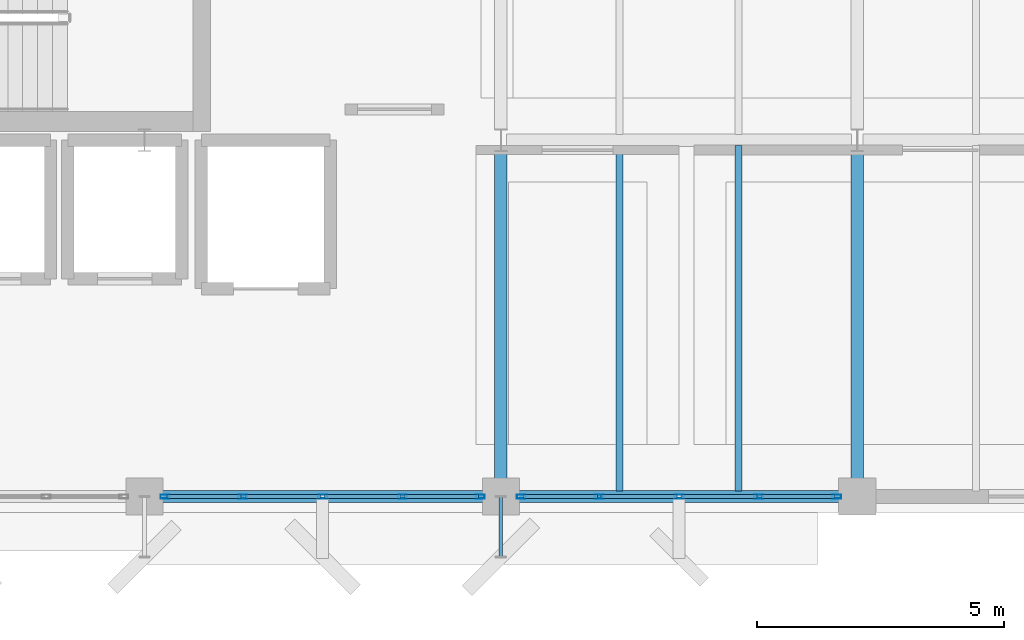
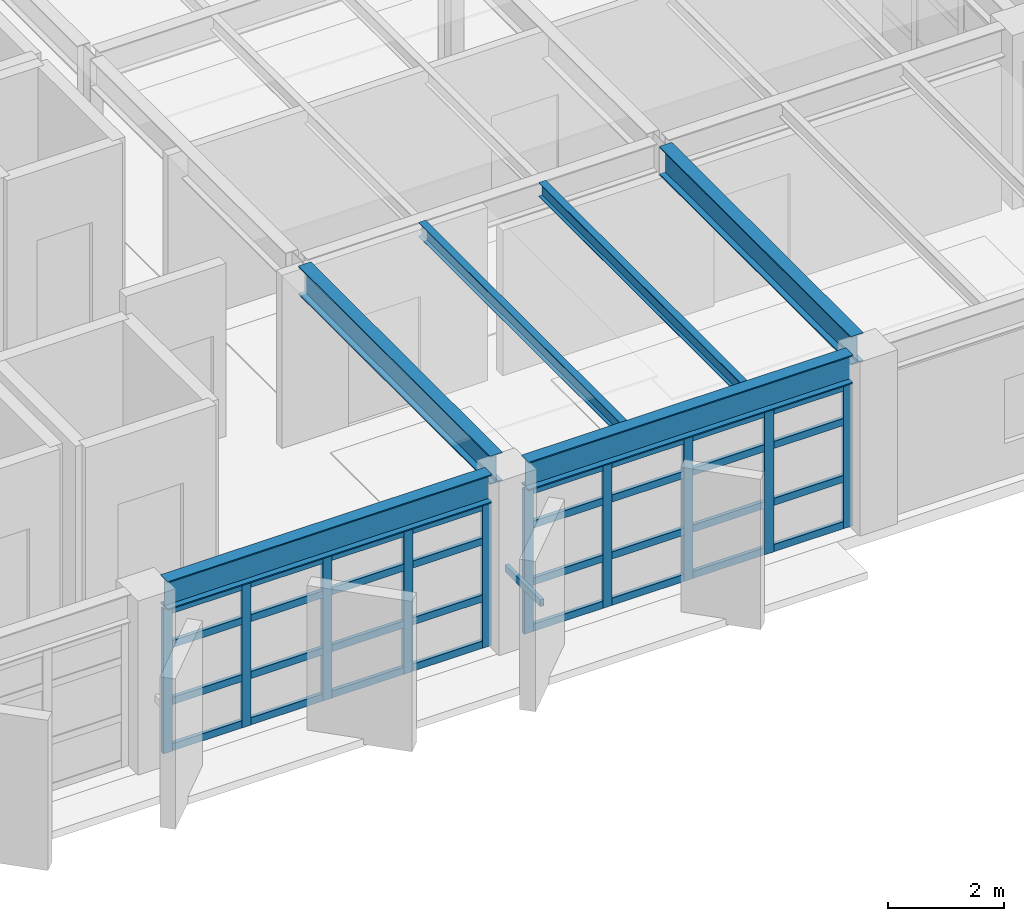
# One storey, part 6 of 24: 43 members, 6 beams, 2 elements without a shape of their own.
"""IFC4 building model written with IfcOpenShell, lengths in metres."""

import ifcopenshell
import ifcopenshell.guid

model = None  # the IFC model being written
_history = None  # IfcOwnerHistory: only IFC2X3 demands one
_inside = {}  # id of a spatial element -> (the spatial element, [elements in it])
_under = {}  # id of a project, library or spatial element -> (it, [spatial elements below it])
_declared = {}  # id of a project -> (the project, [libraries it declares])
_typed = {}  # id of a type object -> (the type object, [elements of that type])
_made_of = {}  # id of a material, layer set ... -> (it, [elements and type objects made of it])


def new_model(schema):
    """Start an empty IFC model of exactly this schema.

    Asked for "IFC4X3", IfcOpenShell would pick the latest addendum, in which some entities
    have other attributes; the version numbers below select the first issue.
    IFC2X3 requires an IfcOwnerHistory on every rooted entity: one is made here for all.
    """
    global model, _history
    if schema == "IFC4X3":
        model = ifcopenshell.file(schema_version=(4, 3, 0, 0))
    else:
        model = ifcopenshell.file(schema=schema)
    _inside.clear()
    _under.clear()
    _declared.clear()
    _typed.clear()
    _made_of.clear()
    _history = None
    if model.schema == "IFC2X3":
        org = make("IfcOrganization", Name="unknown")
        user = make(
            "IfcPersonAndOrganization",
            ThePerson=make("IfcPerson", FamilyName="unknown"),
            TheOrganization=org,
        )
        app = make(
            "IfcApplication",
            ApplicationDeveloper=org,
            Version="unknown",
            ApplicationFullName="unknown",
            ApplicationIdentifier="unknown",
        )
        _history = make(
            "IfcOwnerHistory",
            OwningUser=user,
            OwningApplication=app,
            ChangeAction="ADDED",
            CreationDate=0,
        )
    return model


def make(cls, **values):
    """One entity of the class cls with the attributes given. An attribute that is None is left unset."""
    return model.create_entity(
        cls, **{name: value for name, value in values.items() if value is not None}
    )


def rooted(cls, **values):
    """An entity with a GlobalId (a new one), such as an element, a storey or a relation."""
    return make(cls, GlobalId=ifcopenshell.guid.new(), OwnerHistory=_history, **values)


def si_unit(unit_type, name, prefix=None):
    """IfcSIUnit, for example si_unit("LENGTHUNIT", "METRE", prefix="MILLI")."""
    return make("IfcSIUnit", UnitType=unit_type, Prefix=prefix, Name=name)


def assignment(units):
    """IfcUnitAssignment: the units of a project."""
    return None if units is None else make("IfcUnitAssignment", Units=units)


def point(xyz):
    """IfcCartesianPoint."""
    return None if xyz is None else make("IfcCartesianPoint", Coordinates=xyz)


def direction(xyz):
    """IfcDirection."""
    return None if xyz is None else make("IfcDirection", DirectionRatios=xyz)


def frame(location, z_axis=None, x_axis=None):
    """IfcAxis2Placement3D, a coordinate frame: its origin and axes. An axis left out is left unset."""
    return make(
        "IfcAxis2Placement3D",
        Location=point(location),
        Axis=direction(z_axis),
        RefDirection=direction(x_axis),
    )


def frame_2d(location, x_axis=None):
    """IfcAxis2Placement2D, a coordinate frame in the plane: its origin and x axis."""
    return make(
        "IfcAxis2Placement2D", Location=point(location), RefDirection=direction(x_axis)
    )


def origin():
    """The frame at (0, 0, 0) with its axes left unset."""
    return frame((0.0, 0.0, 0.0))


def origin_2d():
    """The frame at (0, 0) in the plane with its x axis left unset."""
    return frame_2d((0.0, 0.0))


def place(relative_to, where):
    """IfcLocalPlacement: puts the frame where relative to a parent placement (None: the world)."""
    return make(
        "IfcLocalPlacement", PlacementRelTo=relative_to, RelativePlacement=where
    )


def context(
    kind, dimensions, precision=None, world=None, true_north=None, identifier=None
):
    """IfcGeometricRepresentationContext, for example the 3D "Model" context."""
    return make(
        "IfcGeometricRepresentationContext",
        ContextIdentifier=identifier,
        ContextType=kind,
        CoordinateSpaceDimension=dimensions,
        Precision=precision,
        WorldCoordinateSystem=world,
        TrueNorth=true_north,
    )


def subcontext(parent, identifier, kind, view, scale=None):
    """IfcGeometricRepresentationSubContext, for example "Body" below "Model"."""
    return make(
        "IfcGeometricRepresentationSubContext",
        ContextIdentifier=identifier,
        ContextType=kind,
        ParentContext=parent,
        TargetScale=scale,
        TargetView=view,
    )


def project(units=None, contexts=None):
    """IfcProject with its units and contexts."""
    return rooted(
        "IfcProject",
        Name="project",
        RepresentationContexts=contexts,
        UnitsInContext=assignment(units),
    )


def spatial(cls, under=None, at=None, **own):
    """A site, building, storey or space (cls), placed at a placement, below another one or the project."""
    s = rooted(cls, ObjectPlacement=at, **own)
    if under is not None:
        _under.setdefault(under.id(), (under, []))[1].append(s)
    return s


def profile(cls, at=None, kind="AREA", **sizes):
    """A parametric profile (cls). Its sizes go by their IFC names, for example OverallWidth=200.0."""
    return make(cls, ProfileType=kind, Position=at, **sizes)


def hollow_rectangle(**sizes):
    """IfcRectangleHollowProfileDef."""
    return profile("IfcRectangleHollowProfileDef", **sizes)


def i_section(**sizes):
    """IfcIShapeProfileDef."""
    return profile("IfcIShapeProfileDef", **sizes)


def extrude(swept, where, along, depth):
    """IfcExtrudedAreaSolid: the profile swept, set in the frame where, extruded along a direction by depth."""
    return make(
        "IfcExtrudedAreaSolid",
        SweptArea=swept,
        Position=where,
        ExtrudedDirection=direction(along),
        Depth=depth,
    )


def shape(context_of_items, identifier, shape_type, items):
    """IfcShapeRepresentation: the items that make up one representation, for example the "Body"."""
    return make(
        "IfcShapeRepresentation",
        ContextOfItems=context_of_items,
        RepresentationIdentifier=identifier,
        RepresentationType=shape_type,
        Items=items,
    )


def material(Name=None, Category=None):
    """IfcMaterial."""
    return make("IfcMaterial", Name=Name, Category=Category)


def layer(
    of_material, thickness, ventilated=None, Name=None, Category=None, Priority=None
):
    """IfcMaterialLayer: one layer of a wall or slab, of a material (None: an air gap)."""
    return make(
        "IfcMaterialLayer",
        Material=of_material,
        LayerThickness=thickness,
        IsVentilated=ventilated,
        Name=Name,
        Category=Category,
        Priority=Priority,
    )


def layer_set(layers, Name=None):
    """IfcMaterialLayerSet."""
    return make("IfcMaterialLayerSet", MaterialLayers=layers, LayerSetName=Name)


def material_profile(
    of_material, cross_section, Name=None, Category=None, Priority=None
):
    """IfcMaterialProfile: a cross section and its material."""
    return make(
        "IfcMaterialProfile",
        Name=Name,
        Material=of_material,
        Profile=cross_section,
        Priority=Priority,
        Category=Category,
    )


def profile_set(profiles, Name=None, composite=None):
    """IfcMaterialProfileSet."""
    return make(
        "IfcMaterialProfileSet",
        Name=Name,
        MaterialProfiles=profiles,
        CompositeProfile=composite,
    )


def made_of(thing, what):
    """Note that an element or type object is made of a material, layer set ...; save() writes the relation."""
    if what is not None:
        _made_of.setdefault(what.id(), (what, []))[1].append(thing)
    return thing


def type_object(cls, material=None, **own):
    """A type object (cls), such as IfcWallType, which elements share."""
    return made_of(rooted(cls, **own), material)


def element(
    cls,
    number,
    at=None,
    inside=None,
    cuts=None,
    type_object=None,
    material=None,
    context=None,
    identifier="Body",
    shape_type=None,
    held_by="IfcProductDefinitionShape",
    body=None,
    shapes=None,
    **own,
):
    """One element of the class cls, such as IfcWall. Its Tag is "e" and its number.

    at: its placement. inside: the storey or other place that contains it. cuts: it is an
    opening in that element (IfcRelVoidsElement). A single representation is given by context,
    identifier, shape_type and body (its items); several are given by shapes. held_by: the class
    of the entity that holds the representations. save() writes the other relations.
    """
    e = rooted(cls, Tag="e%d" % number, ObjectPlacement=at, **own)
    if body is not None:
        shapes = [shape(context, identifier, shape_type, body)]
    if shapes is not None:
        e.Representation = make(held_by, Representations=shapes)
    if inside is not None:
        _inside.setdefault(inside.id(), (inside, []))[1].append(e)
    if cuts is not None:
        rooted(
            "IfcRelVoidsElement", RelatingBuildingElement=cuts, RelatedOpeningElement=e
        )
    if type_object is not None:
        _typed.setdefault(type_object.id(), (type_object, []))[1].append(e)
    return made_of(e, material)


def aggregate(whole, parts):
    """IfcRelAggregates: a whole, such as a stair, and the parts it consists of."""
    return rooted("IfcRelAggregates", RelatingObject=whole, RelatedObjects=parts)


def save(model, path):
    """Write the relations noted so far, then the file.

    IfcRelAggregates (storeys below a building ...), IfcRelContainedInSpatialStructure (elements
    in a storey), IfcRelDefinesByType, IfcRelAssociatesMaterial and IfcRelDeclares: one each for
    every whole, place, type object, material and project.
    """
    for whole, parts in _under.values():
        aggregate(whole, parts)
    for where, things in _inside.values():
        rooted(
            "IfcRelContainedInSpatialStructure",
            RelatedElements=things,
            RelatingStructure=where,
        )
    for kind, things in _typed.values():
        rooted("IfcRelDefinesByType", RelatedObjects=things, RelatingType=kind)
    for what, things in _made_of.values():
        rooted("IfcRelAssociatesMaterial", RelatedObjects=things, RelatingMaterial=what)
    for by, libraries in _declared.values():
        rooted("IfcRelDeclares", RelatingContext=by, RelatedDefinitions=libraries)
    model.write(path)


model = new_model("IFC4")

# Units and contexts
model_context = context("Model", 3, precision=1e-05, world=origin(), true_north=direction((0.0, 1.0)))
body_context = subcontext(model_context, "Body", "Model", "MODEL_VIEW")
ifc_project = project(units=[si_unit("LENGTHUNIT", "METRE"), si_unit("AREAUNIT", "SQUARE_METRE"), si_unit("VOLUMEUNIT", "CUBIC_METRE"), si_unit("PLANEANGLEUNIT", "RADIAN"), si_unit("MASSUNIT", "GRAM", prefix="KILO")], contexts=[model_context])

# Site, building, storey
site_placement = place(None, origin())
site = spatial("IfcSite", under=ifc_project, at=site_placement, CompositionType="ELEMENT")
building_placement = place(site_placement, origin())
building = spatial("IfcBuilding", under=site, at=building_placement, Name="Kandorven Conservatory and Botanical Research Centre", CompositionType="ELEMENT")
storey_placement = place(building_placement, frame((0.0, 0.0, 21.0)))
storey = spatial("IfcBuildingStorey", under=building, at=storey_placement, Name="L05", CompositionType="ELEMENT", Elevation=21.0)

# Beams
ifc_material_1 = material(Name="Steel S355 (IS 2062 E350)", Category="steel")
ifc_material_profile_1 = material_profile(ifc_material_1, i_section(OverallWidth=0.25, OverallDepth=0.60009765625, WebThickness=0.01171875, FlangeThickness=0.023681640625, at=origin_2d()))
ifc_profile_set_1 = profile_set([ifc_material_profile_1], Name="Steel S355 (IS 2062 E350)")
beam_type_1 = type_object("IfcBeamType", Name="Beam_FG-01", PredefinedType="USERDEFINED", material=ifc_profile_set_1)
beam_1_placement = place(storey_placement, frame((20.764892578125, 6.0, 3.3701171875), z_axis=(1.0, 0.0, 0.0), x_axis=(0.0, 1.0, 0.0)))
element("IfcBeam", 1, at=beam_1_placement, inside=storey, type_object=beam_type_1, Name="Primary girder FG-01 TWR L05", ObjectType="GIRDER", PredefinedType="USERDEFINED", context=body_context, shape_type="SweptSolid", body=[
    extrude(i_section(OverallWidth=0.25, OverallDepth=0.60009765625, WebThickness=0.01171875, FlangeThickness=0.023681640625, at=origin_2d()), origin(), (0.0, 0.0, 1.0), 6.47021484375),
])
beam_2_placement = place(storey_placement, frame((27.965087890625, 6.0, 3.3701171875), z_axis=(1.0, 0.0, 0.0), x_axis=(0.0, 1.0, 0.0)))
element("IfcBeam", 2, at=beam_2_placement, inside=storey, type_object=beam_type_1, Name="Primary girder FG-01 TWR L05", ObjectType="GIRDER", PredefinedType="USERDEFINED", context=body_context, shape_type="SweptSolid", body=[
    extrude(i_section(OverallWidth=0.25, OverallDepth=0.60009765625, WebThickness=0.01171875, FlangeThickness=0.023681640625, at=origin_2d()), origin(), (0.0, 0.0, 1.0), 6.469970703125),
])
for number, where, z_axis, x_axis, name in (
    (3, (27.60009765625, 6.364990234375, 3.3701171875), (0.0, 1.0, 0.0), (-1.0, 0.0, 0.0), "Primary girder FG-01 TWR L05"),
    (4, (34.800048828125, 6.364990234375, 3.3701171875), (0.0, 1.0, 0.0), (-1.0, 0.0, 0.0), "Primary girder FG-01 TWR L05"),
):
    element("IfcBeam", number, at=place(storey_placement, frame(where, z_axis=z_axis, x_axis=x_axis)), inside=storey, type_object=beam_type_1, Name=name, ObjectType="GIRDER", PredefinedType="USERDEFINED", context=body_context, shape_type="SweptSolid", body=[
        extrude(i_section(OverallWidth=0.25, OverallDepth=0.60009765625, WebThickness=0.01171875, FlangeThickness=0.023681640625, at=origin_2d()), origin(), (0.0, 0.0, 1.0), 6.6201171875),
    ])
ifc_material_2 = material(Name="Steel S355 (IS 2062 E350)", Category="steel")
ifc_material_profile_2 = material_profile(ifc_material_2, i_section(OverallWidth=0.139892578125, OverallDepth=0.300048828125, WebThickness=0.0078125, FlangeThickness=0.01318359375, at=origin_2d()))
ifc_profile_set_2 = profile_set([ifc_material_profile_2], Name="Steel S355 (IS 2062 E350)")
beam_type_2 = type_object("IfcBeamType", Name="Beam_SB-07", PredefinedType="BEAM", material=ifc_profile_set_2)
for number, where, z_axis, x_axis, name in (
    (5, (30.0, 6.110107421875, 3.52001953125), (0.0, 1.0, 0.0), (-1.0, 0.0, 0.0), "Composite secondary beam SB-07 TWR L05"),
    (6, (32.39990234375, 6.110107421875, 3.52001953125), (0.0, 1.0, 0.0), (-1.0, 0.0, 0.0), "Composite secondary beam SB-07 TWR L05"),
):
    element("IfcBeam", number, at=place(storey_placement, frame(where, z_axis=z_axis, x_axis=x_axis)), inside=storey, type_object=beam_type_2, Name=name, PredefinedType="BEAM", context=body_context, shape_type="SweptSolid", body=[
        extrude(i_section(OverallWidth=0.139892578125, OverallDepth=0.300048828125, WebThickness=0.0078125, FlangeThickness=0.01318359375, at=origin_2d()), origin(), (0.0, 0.0, 1.0), 6.97998046875),
    ])

# Curtain wall, members
ifc_material_3 = material(Name="Bronze anodised thermally broken aluminium", Category="aluminium")
ifc_layer = layer(ifc_material_3, 0.179931640625)
ifc_layer_set = layer_set([ifc_layer], Name="Bronze anodised thermally broken aluminium")
curtain_wall_type = type_object("IfcCurtainWallType", Name="CW_Unitised", PredefinedType="USERDEFINED", material=ifc_layer_set)
curtain_wall_1_placement = place(storey_placement, origin())
curtain_wall_1 = element("IfcCurtainWall", 7, at=curtain_wall_1_placement, inside=storey, type_object=curtain_wall_type, Name="Tower laboratory curtain wall CW-TWR-S-L05-3", ObjectType="UNITISED GLAZING", PredefinedType="USERDEFINED")
ifc_material_4 = material(Name="Bronze anodised thermally broken aluminium", Category="aluminium")
ifc_material_profile_3 = material_profile(ifc_material_4, hollow_rectangle(XDim=0.080078125, YDim=0.179931640625, WallThickness=0.006103515625, at=origin_2d()))
ifc_profile_set_3 = profile_set([ifc_material_profile_3], Name="Bronze anodised thermally broken aluminium")
member_type_1 = type_object("IfcMemberType", Name="CW_Mullion", PredefinedType="MULLION", material=ifc_profile_set_3)
member_1_placement = place(storey_placement, frame((20.81494140625, 6.0, 0.0), z_axis=(0.0, 0.0, 1.0), x_axis=(0.0, 1.0, 0.0)))
member_1 = element("IfcMember", 8, at=member_1_placement, type_object=member_type_1, Name="CW-01 mullion 1", PredefinedType="MULLION", context=body_context, shape_type="SweptSolid", body=[
    extrude(hollow_rectangle(XDim=0.080078125, YDim=0.179931640625, WallThickness=0.006103515625, at=origin_2d()), origin(), (0.0, 0.0, 1.0), 3.050048828125),
])
member_2_placement = place(storey_placement, frame((22.387451171875, 6.0, 0.0), z_axis=(0.0, 0.0, 1.0), x_axis=(0.0, 1.0, 0.0)))
member_2 = element("IfcMember", 9, at=member_2_placement, type_object=member_type_1, Name="CW-01 mullion 2", PredefinedType="MULLION", context=body_context, shape_type="SweptSolid", body=[
    extrude(hollow_rectangle(XDim=0.080078125, YDim=0.179931640625, WallThickness=0.006103515625, at=origin_2d()), origin(), (0.0, 0.0, 1.0), 3.050048828125),
])
member_3_placement = place(storey_placement, frame((24.0, 6.0, 0.0), z_axis=(0.0, 0.0, 1.0), x_axis=(0.0, 1.0, 0.0)))
member_3 = element("IfcMember", 10, at=member_3_placement, type_object=member_type_1, Name="CW-01 mullion 3", PredefinedType="MULLION", context=body_context, shape_type="SweptSolid", body=[
    extrude(hollow_rectangle(XDim=0.080078125, YDim=0.179931640625, WallThickness=0.006103515625, at=origin_2d()), origin(), (0.0, 0.0, 1.0), 3.050048828125),
])
member_4_placement = place(storey_placement, frame((25.612548828125, 6.0, 0.0), z_axis=(0.0, 0.0, 1.0), x_axis=(0.0, 1.0, 0.0)))
member_4 = element("IfcMember", 11, at=member_4_placement, type_object=member_type_1, Name="CW-01 mullion 4", PredefinedType="MULLION", context=body_context, shape_type="SweptSolid", body=[
    extrude(hollow_rectangle(XDim=0.080078125, YDim=0.179931640625, WallThickness=0.006103515625, at=origin_2d()), origin(), (0.0, 0.0, 1.0), 3.050048828125),
])
member_5_placement = place(storey_placement, frame((27.18505859375, 6.0, 0.0), z_axis=(0.0, 0.0, 1.0), x_axis=(0.0, 1.0, 0.0)))
member_5 = element("IfcMember", 12, at=member_5_placement, type_object=member_type_1, Name="CW-01 mullion 5", PredefinedType="MULLION", context=body_context, shape_type="SweptSolid", body=[
    extrude(hollow_rectangle(XDim=0.080078125, YDim=0.179931640625, WallThickness=0.006103515625, at=origin_2d()), origin(), (0.0, 0.0, 1.0), 3.050048828125),
])

curtain_wall_2_placement = place(storey_placement, origin())
curtain_wall_2 = element("IfcCurtainWall", 13, at=curtain_wall_2_placement, inside=storey, type_object=curtain_wall_type, Name="Tower laboratory curtain wall CW-TWR-S-L05-4", ObjectType="UNITISED GLAZING", PredefinedType="USERDEFINED")
member_6_placement = place(storey_placement, frame((28.014892578125, 6.0, 0.0), z_axis=(0.0, 0.0, 1.0), x_axis=(0.0, 1.0, 0.0)))
member_6 = element("IfcMember", 14, at=member_6_placement, type_object=member_type_1, Name="CW-01 mullion 1", PredefinedType="MULLION", context=body_context, shape_type="SweptSolid", body=[
    extrude(hollow_rectangle(XDim=0.080078125, YDim=0.179931640625, WallThickness=0.006103515625, at=origin_2d()), origin(), (0.0, 0.0, 1.0), 3.050048828125),
])
member_7_placement = place(storey_placement, frame((29.58740234375, 6.0, 0.0), z_axis=(0.0, 0.0, 1.0), x_axis=(0.0, 1.0, 0.0)))
member_7 = element("IfcMember", 15, at=member_7_placement, type_object=member_type_1, Name="CW-01 mullion 2", PredefinedType="MULLION", context=body_context, shape_type="SweptSolid", body=[
    extrude(hollow_rectangle(XDim=0.080078125, YDim=0.179931640625, WallThickness=0.006103515625, at=origin_2d()), origin(), (0.0, 0.0, 1.0), 3.050048828125),
])
member_8_placement = place(storey_placement, frame((31.199951171875, 6.0, 0.0), z_axis=(0.0, 0.0, 1.0), x_axis=(0.0, 1.0, 0.0)))
member_8 = element("IfcMember", 16, at=member_8_placement, type_object=member_type_1, Name="CW-01 mullion 3", PredefinedType="MULLION", context=body_context, shape_type="SweptSolid", body=[
    extrude(hollow_rectangle(XDim=0.080078125, YDim=0.179931640625, WallThickness=0.006103515625, at=origin_2d()), origin(), (0.0, 0.0, 1.0), 3.050048828125),
])
member_9_placement = place(storey_placement, frame((32.8125, 6.0, 0.0), z_axis=(0.0, 0.0, 1.0), x_axis=(0.0, 1.0, 0.0)))
member_9 = element("IfcMember", 17, at=member_9_placement, type_object=member_type_1, Name="CW-01 mullion 4", PredefinedType="MULLION", context=body_context, shape_type="SweptSolid", body=[
    extrude(hollow_rectangle(XDim=0.080078125, YDim=0.179931640625, WallThickness=0.006103515625, at=origin_2d()), origin(), (0.0, 0.0, 1.0), 3.050048828125),
])
member_10_placement = place(storey_placement, frame((34.385009765625, 6.0, 0.0), z_axis=(0.0, 0.0, 1.0), x_axis=(0.0, 1.0, 0.0)))
member_10 = element("IfcMember", 18, at=member_10_placement, type_object=member_type_1, Name="CW-01 mullion 5", PredefinedType="MULLION", context=body_context, shape_type="SweptSolid", body=[
    extrude(hollow_rectangle(XDim=0.080078125, YDim=0.179931640625, WallThickness=0.006103515625, at=origin_2d()), origin(), (0.0, 0.0, 1.0), 3.050048828125),
])

# Member
ifc_material_5 = material(Name="Bronze anodised thermally broken aluminium", Category="aluminium")
ifc_material_profile_4 = material_profile(ifc_material_5, hollow_rectangle(XDim=0.074951171875, YDim=0.14990234375, WallThickness=0.006103515625, at=origin_2d()))
ifc_profile_set_4 = profile_set([ifc_material_profile_4], Name="Bronze anodised thermally broken aluminium")
member_type_2 = type_object("IfcMemberType", Name="CW_Transom", PredefinedType="USERDEFINED", material=ifc_profile_set_4)
member_11_placement = place(storey_placement, frame((20.85498046875, 6.0, 0.074951171875), z_axis=(1.0, 0.0, 0.0), x_axis=(0.0, 1.0, 0.0)))
member_11 = element("IfcMember", 19, at=member_11_placement, type_object=member_type_2, Name="CW-01 transom 1.1", ObjectType="TRANSOM", PredefinedType="USERDEFINED", context=body_context, shape_type="SweptSolid", body=[
    extrude(hollow_rectangle(XDim=0.074951171875, YDim=0.14990234375, WallThickness=0.006103515625, at=origin_2d()), origin(), (0.0, 0.0, 1.0), 1.492431640625),
])

member_12_placement = place(storey_placement, frame((20.85498046875, 6.0, 1.050048828125), z_axis=(1.0, 0.0, 0.0), x_axis=(0.0, 1.0, 0.0)))
member_12 = element("IfcMember", 20, at=member_12_placement, type_object=member_type_2, Name="CW-01 transom 1.2", ObjectType="TRANSOM", PredefinedType="USERDEFINED", context=body_context, shape_type="SweptSolid", body=[
    extrude(hollow_rectangle(XDim=0.074951171875, YDim=0.14990234375, WallThickness=0.006103515625, at=origin_2d()), origin(), (0.0, 0.0, 1.0), 1.492431640625),
])

member_13_placement = place(storey_placement, frame((20.85498046875, 6.0, 2.25), z_axis=(1.0, 0.0, 0.0), x_axis=(0.0, 1.0, 0.0)))
member_13 = element("IfcMember", 21, at=member_13_placement, type_object=member_type_2, Name="CW-01 transom 1.3", ObjectType="TRANSOM", PredefinedType="USERDEFINED", context=body_context, shape_type="SweptSolid", body=[
    extrude(hollow_rectangle(XDim=0.074951171875, YDim=0.14990234375, WallThickness=0.006103515625, at=origin_2d()), origin(), (0.0, 0.0, 1.0), 1.492431640625),
])

member_14_placement = place(storey_placement, frame((20.85498046875, 6.0, 2.97509765625), z_axis=(1.0, 0.0, 0.0), x_axis=(0.0, 1.0, 0.0)))
member_14 = element("IfcMember", 22, at=member_14_placement, type_object=member_type_2, Name="CW-01 transom 1.4", ObjectType="TRANSOM", PredefinedType="USERDEFINED", context=body_context, shape_type="SweptSolid", body=[
    extrude(hollow_rectangle(XDim=0.074951171875, YDim=0.14990234375, WallThickness=0.006103515625, at=origin_2d()), origin(), (0.0, 0.0, 1.0), 1.492431640625),
])

member_15_placement = place(storey_placement, frame((22.427490234375, 6.0, 0.074951171875), z_axis=(1.0, 0.0, 0.0), x_axis=(0.0, 1.0, 0.0)))
member_15 = element("IfcMember", 23, at=member_15_placement, type_object=member_type_2, Name="CW-01 transom 2.1", ObjectType="TRANSOM", PredefinedType="USERDEFINED", context=body_context, shape_type="SweptSolid", body=[
    extrude(hollow_rectangle(XDim=0.074951171875, YDim=0.14990234375, WallThickness=0.006103515625, at=origin_2d()), origin(), (0.0, 0.0, 1.0), 1.532470703125),
])

member_16_placement = place(storey_placement, frame((22.427490234375, 6.0, 1.050048828125), z_axis=(1.0, 0.0, 0.0), x_axis=(0.0, 1.0, 0.0)))
member_16 = element("IfcMember", 24, at=member_16_placement, type_object=member_type_2, Name="CW-01 transom 2.2", ObjectType="TRANSOM", PredefinedType="USERDEFINED", context=body_context, shape_type="SweptSolid", body=[
    extrude(hollow_rectangle(XDim=0.074951171875, YDim=0.14990234375, WallThickness=0.006103515625, at=origin_2d()), origin(), (0.0, 0.0, 1.0), 1.532470703125),
])

member_17_placement = place(storey_placement, frame((22.427490234375, 6.0, 2.25), z_axis=(1.0, 0.0, 0.0), x_axis=(0.0, 1.0, 0.0)))
member_17 = element("IfcMember", 25, at=member_17_placement, type_object=member_type_2, Name="CW-01 transom 2.3", ObjectType="TRANSOM", PredefinedType="USERDEFINED", context=body_context, shape_type="SweptSolid", body=[
    extrude(hollow_rectangle(XDim=0.074951171875, YDim=0.14990234375, WallThickness=0.006103515625, at=origin_2d()), origin(), (0.0, 0.0, 1.0), 1.532470703125),
])

member_18_placement = place(storey_placement, frame((22.427490234375, 6.0, 2.97509765625), z_axis=(1.0, 0.0, 0.0), x_axis=(0.0, 1.0, 0.0)))
member_18 = element("IfcMember", 26, at=member_18_placement, type_object=member_type_2, Name="CW-01 transom 2.4", ObjectType="TRANSOM", PredefinedType="USERDEFINED", context=body_context, shape_type="SweptSolid", body=[
    extrude(hollow_rectangle(XDim=0.074951171875, YDim=0.14990234375, WallThickness=0.006103515625, at=origin_2d()), origin(), (0.0, 0.0, 1.0), 1.532470703125),
])

member_19_placement = place(storey_placement, frame((24.0400390625, 6.0, 0.074951171875), z_axis=(1.0, 0.0, 0.0), x_axis=(0.0, 1.0, 0.0)))
member_19 = element("IfcMember", 27, at=member_19_placement, type_object=member_type_2, Name="CW-01 transom 3.1", ObjectType="TRANSOM", PredefinedType="USERDEFINED", context=body_context, shape_type="SweptSolid", body=[
    extrude(hollow_rectangle(XDim=0.074951171875, YDim=0.14990234375, WallThickness=0.006103515625, at=origin_2d()), origin(), (0.0, 0.0, 1.0), 1.532470703125),
])

member_20_placement = place(storey_placement, frame((24.0400390625, 6.0, 1.050048828125), z_axis=(1.0, 0.0, 0.0), x_axis=(0.0, 1.0, 0.0)))
member_20 = element("IfcMember", 28, at=member_20_placement, type_object=member_type_2, Name="CW-01 transom 3.2", ObjectType="TRANSOM", PredefinedType="USERDEFINED", context=body_context, shape_type="SweptSolid", body=[
    extrude(hollow_rectangle(XDim=0.074951171875, YDim=0.14990234375, WallThickness=0.006103515625, at=origin_2d()), origin(), (0.0, 0.0, 1.0), 1.532470703125),
])

member_21_placement = place(storey_placement, frame((24.0400390625, 6.0, 2.25), z_axis=(1.0, 0.0, 0.0), x_axis=(0.0, 1.0, 0.0)))
member_21 = element("IfcMember", 29, at=member_21_placement, type_object=member_type_2, Name="CW-01 transom 3.3", ObjectType="TRANSOM", PredefinedType="USERDEFINED", context=body_context, shape_type="SweptSolid", body=[
    extrude(hollow_rectangle(XDim=0.074951171875, YDim=0.14990234375, WallThickness=0.006103515625, at=origin_2d()), origin(), (0.0, 0.0, 1.0), 1.532470703125),
])

member_22_placement = place(storey_placement, frame((24.0400390625, 6.0, 2.97509765625), z_axis=(1.0, 0.0, 0.0), x_axis=(0.0, 1.0, 0.0)))
member_22 = element("IfcMember", 30, at=member_22_placement, type_object=member_type_2, Name="CW-01 transom 3.4", ObjectType="TRANSOM", PredefinedType="USERDEFINED", context=body_context, shape_type="SweptSolid", body=[
    extrude(hollow_rectangle(XDim=0.074951171875, YDim=0.14990234375, WallThickness=0.006103515625, at=origin_2d()), origin(), (0.0, 0.0, 1.0), 1.532470703125),
])

member_23_placement = place(storey_placement, frame((25.652587890625, 6.0, 0.074951171875), z_axis=(1.0, 0.0, 0.0), x_axis=(0.0, 1.0, 0.0)))
member_23 = element("IfcMember", 31, at=member_23_placement, type_object=member_type_2, Name="CW-01 transom 4.1", ObjectType="TRANSOM", PredefinedType="USERDEFINED", context=body_context, shape_type="SweptSolid", body=[
    extrude(hollow_rectangle(XDim=0.074951171875, YDim=0.14990234375, WallThickness=0.006103515625, at=origin_2d()), origin(), (0.0, 0.0, 1.0), 1.492431640625),
])

member_24_placement = place(storey_placement, frame((25.652587890625, 6.0, 1.050048828125), z_axis=(1.0, 0.0, 0.0), x_axis=(0.0, 1.0, 0.0)))
member_24 = element("IfcMember", 32, at=member_24_placement, type_object=member_type_2, Name="CW-01 transom 4.2", ObjectType="TRANSOM", PredefinedType="USERDEFINED", context=body_context, shape_type="SweptSolid", body=[
    extrude(hollow_rectangle(XDim=0.074951171875, YDim=0.14990234375, WallThickness=0.006103515625, at=origin_2d()), origin(), (0.0, 0.0, 1.0), 1.492431640625),
])

member_25_placement = place(storey_placement, frame((25.652587890625, 6.0, 2.25), z_axis=(1.0, 0.0, 0.0), x_axis=(0.0, 1.0, 0.0)))
member_25 = element("IfcMember", 33, at=member_25_placement, type_object=member_type_2, Name="CW-01 transom 4.3", ObjectType="TRANSOM", PredefinedType="USERDEFINED", context=body_context, shape_type="SweptSolid", body=[
    extrude(hollow_rectangle(XDim=0.074951171875, YDim=0.14990234375, WallThickness=0.006103515625, at=origin_2d()), origin(), (0.0, 0.0, 1.0), 1.492431640625),
])

member_26_placement = place(storey_placement, frame((25.652587890625, 6.0, 2.97509765625), z_axis=(1.0, 0.0, 0.0), x_axis=(0.0, 1.0, 0.0)))
member_26 = element("IfcMember", 34, at=member_26_placement, type_object=member_type_2, Name="CW-01 transom 4.4", ObjectType="TRANSOM", PredefinedType="USERDEFINED", context=body_context, shape_type="SweptSolid", body=[
    extrude(hollow_rectangle(XDim=0.074951171875, YDim=0.14990234375, WallThickness=0.006103515625, at=origin_2d()), origin(), (0.0, 0.0, 1.0), 1.492431640625),
])

aggregate(curtain_wall_1, [member_1, member_2, member_3, member_4, member_5, member_11, member_12, member_13, member_14, member_15, member_16, member_17, member_18, member_19, member_20, member_21, member_22, member_23, member_24, member_25, member_26])

member_27_placement = place(storey_placement, frame((28.054931640625, 6.0, 0.074951171875), z_axis=(1.0, 0.0, 0.0), x_axis=(0.0, 1.0, 0.0)))
member_27 = element("IfcMember", 35, at=member_27_placement, type_object=member_type_2, Name="CW-01 transom 1.1", ObjectType="TRANSOM", PredefinedType="USERDEFINED", context=body_context, shape_type="SweptSolid", body=[
    extrude(hollow_rectangle(XDim=0.074951171875, YDim=0.14990234375, WallThickness=0.006103515625, at=origin_2d()), origin(), (0.0, 0.0, 1.0), 1.49267578125),
])

member_28_placement = place(storey_placement, frame((28.054931640625, 6.0, 1.050048828125), z_axis=(1.0, 0.0, 0.0), x_axis=(0.0, 1.0, 0.0)))
member_28 = element("IfcMember", 36, at=member_28_placement, type_object=member_type_2, Name="CW-01 transom 1.2", ObjectType="TRANSOM", PredefinedType="USERDEFINED", context=body_context, shape_type="SweptSolid", body=[
    extrude(hollow_rectangle(XDim=0.074951171875, YDim=0.14990234375, WallThickness=0.006103515625, at=origin_2d()), origin(), (0.0, 0.0, 1.0), 1.49267578125),
])

member_29_placement = place(storey_placement, frame((28.054931640625, 6.0, 2.25), z_axis=(1.0, 0.0, 0.0), x_axis=(0.0, 1.0, 0.0)))
member_29 = element("IfcMember", 37, at=member_29_placement, type_object=member_type_2, Name="CW-01 transom 1.3", ObjectType="TRANSOM", PredefinedType="USERDEFINED", context=body_context, shape_type="SweptSolid", body=[
    extrude(hollow_rectangle(XDim=0.074951171875, YDim=0.14990234375, WallThickness=0.006103515625, at=origin_2d()), origin(), (0.0, 0.0, 1.0), 1.49267578125),
])

member_30_placement = place(storey_placement, frame((28.054931640625, 6.0, 2.97509765625), z_axis=(1.0, 0.0, 0.0), x_axis=(0.0, 1.0, 0.0)))
member_30 = element("IfcMember", 38, at=member_30_placement, type_object=member_type_2, Name="CW-01 transom 1.4", ObjectType="TRANSOM", PredefinedType="USERDEFINED", context=body_context, shape_type="SweptSolid", body=[
    extrude(hollow_rectangle(XDim=0.074951171875, YDim=0.14990234375, WallThickness=0.006103515625, at=origin_2d()), origin(), (0.0, 0.0, 1.0), 1.49267578125),
])

member_31_placement = place(storey_placement, frame((29.62744140625, 6.0, 0.074951171875), z_axis=(1.0, 0.0, 0.0), x_axis=(0.0, 1.0, 0.0)))
member_31 = element("IfcMember", 39, at=member_31_placement, type_object=member_type_2, Name="CW-01 transom 2.1", ObjectType="TRANSOM", PredefinedType="USERDEFINED", context=body_context, shape_type="SweptSolid", body=[
    extrude(hollow_rectangle(XDim=0.074951171875, YDim=0.14990234375, WallThickness=0.006103515625, at=origin_2d()), origin(), (0.0, 0.0, 1.0), 1.532470703125),
])

member_32_placement = place(storey_placement, frame((29.62744140625, 6.0, 1.050048828125), z_axis=(1.0, 0.0, 0.0), x_axis=(0.0, 1.0, 0.0)))
member_32 = element("IfcMember", 40, at=member_32_placement, type_object=member_type_2, Name="CW-01 transom 2.2", ObjectType="TRANSOM", PredefinedType="USERDEFINED", context=body_context, shape_type="SweptSolid", body=[
    extrude(hollow_rectangle(XDim=0.074951171875, YDim=0.14990234375, WallThickness=0.006103515625, at=origin_2d()), origin(), (0.0, 0.0, 1.0), 1.532470703125),
])

member_33_placement = place(storey_placement, frame((29.62744140625, 6.0, 2.25), z_axis=(1.0, 0.0, 0.0), x_axis=(0.0, 1.0, 0.0)))
member_33 = element("IfcMember", 41, at=member_33_placement, type_object=member_type_2, Name="CW-01 transom 2.3", ObjectType="TRANSOM", PredefinedType="USERDEFINED", context=body_context, shape_type="SweptSolid", body=[
    extrude(hollow_rectangle(XDim=0.074951171875, YDim=0.14990234375, WallThickness=0.006103515625, at=origin_2d()), origin(), (0.0, 0.0, 1.0), 1.532470703125),
])

member_34_placement = place(storey_placement, frame((29.62744140625, 6.0, 2.97509765625), z_axis=(1.0, 0.0, 0.0), x_axis=(0.0, 1.0, 0.0)))
member_34 = element("IfcMember", 42, at=member_34_placement, type_object=member_type_2, Name="CW-01 transom 2.4", ObjectType="TRANSOM", PredefinedType="USERDEFINED", context=body_context, shape_type="SweptSolid", body=[
    extrude(hollow_rectangle(XDim=0.074951171875, YDim=0.14990234375, WallThickness=0.006103515625, at=origin_2d()), origin(), (0.0, 0.0, 1.0), 1.532470703125),
])

member_35_placement = place(storey_placement, frame((31.239990234375, 6.0, 0.074951171875), z_axis=(1.0, 0.0, 0.0), x_axis=(0.0, 1.0, 0.0)))
member_35 = element("IfcMember", 43, at=member_35_placement, type_object=member_type_2, Name="CW-01 transom 3.1", ObjectType="TRANSOM", PredefinedType="USERDEFINED", context=body_context, shape_type="SweptSolid", body=[
    extrude(hollow_rectangle(XDim=0.074951171875, YDim=0.14990234375, WallThickness=0.006103515625, at=origin_2d()), origin(), (0.0, 0.0, 1.0), 1.532470703125),
])

member_36_placement = place(storey_placement, frame((31.239990234375, 6.0, 1.050048828125), z_axis=(1.0, 0.0, 0.0), x_axis=(0.0, 1.0, 0.0)))
member_36 = element("IfcMember", 44, at=member_36_placement, type_object=member_type_2, Name="CW-01 transom 3.2", ObjectType="TRANSOM", PredefinedType="USERDEFINED", context=body_context, shape_type="SweptSolid", body=[
    extrude(hollow_rectangle(XDim=0.074951171875, YDim=0.14990234375, WallThickness=0.006103515625, at=origin_2d()), origin(), (0.0, 0.0, 1.0), 1.532470703125),
])

member_37_placement = place(storey_placement, frame((31.239990234375, 6.0, 2.25), z_axis=(1.0, 0.0, 0.0), x_axis=(0.0, 1.0, 0.0)))
member_37 = element("IfcMember", 45, at=member_37_placement, type_object=member_type_2, Name="CW-01 transom 3.3", ObjectType="TRANSOM", PredefinedType="USERDEFINED", context=body_context, shape_type="SweptSolid", body=[
    extrude(hollow_rectangle(XDim=0.074951171875, YDim=0.14990234375, WallThickness=0.006103515625, at=origin_2d()), origin(), (0.0, 0.0, 1.0), 1.532470703125),
])

member_38_placement = place(storey_placement, frame((31.239990234375, 6.0, 2.97509765625), z_axis=(1.0, 0.0, 0.0), x_axis=(0.0, 1.0, 0.0)))
member_38 = element("IfcMember", 46, at=member_38_placement, type_object=member_type_2, Name="CW-01 transom 3.4", ObjectType="TRANSOM", PredefinedType="USERDEFINED", context=body_context, shape_type="SweptSolid", body=[
    extrude(hollow_rectangle(XDim=0.074951171875, YDim=0.14990234375, WallThickness=0.006103515625, at=origin_2d()), origin(), (0.0, 0.0, 1.0), 1.532470703125),
])

member_39_placement = place(storey_placement, frame((32.8525390625, 6.0, 0.074951171875), z_axis=(1.0, 0.0, 0.0), x_axis=(0.0, 1.0, 0.0)))
member_39 = element("IfcMember", 47, at=member_39_placement, type_object=member_type_2, Name="CW-01 transom 4.1", ObjectType="TRANSOM", PredefinedType="USERDEFINED", context=body_context, shape_type="SweptSolid", body=[
    extrude(hollow_rectangle(XDim=0.074951171875, YDim=0.14990234375, WallThickness=0.006103515625, at=origin_2d()), origin(), (0.0, 0.0, 1.0), 1.492431640625),
])

member_40_placement = place(storey_placement, frame((32.8525390625, 6.0, 1.050048828125), z_axis=(1.0, 0.0, 0.0), x_axis=(0.0, 1.0, 0.0)))
member_40 = element("IfcMember", 48, at=member_40_placement, type_object=member_type_2, Name="CW-01 transom 4.2", ObjectType="TRANSOM", PredefinedType="USERDEFINED", context=body_context, shape_type="SweptSolid", body=[
    extrude(hollow_rectangle(XDim=0.074951171875, YDim=0.14990234375, WallThickness=0.006103515625, at=origin_2d()), origin(), (0.0, 0.0, 1.0), 1.492431640625),
])

member_41_placement = place(storey_placement, frame((32.8525390625, 6.0, 2.25), z_axis=(1.0, 0.0, 0.0), x_axis=(0.0, 1.0, 0.0)))
member_41 = element("IfcMember", 49, at=member_41_placement, type_object=member_type_2, Name="CW-01 transom 4.3", ObjectType="TRANSOM", PredefinedType="USERDEFINED", context=body_context, shape_type="SweptSolid", body=[
    extrude(hollow_rectangle(XDim=0.074951171875, YDim=0.14990234375, WallThickness=0.006103515625, at=origin_2d()), origin(), (0.0, 0.0, 1.0), 1.492431640625),
])

member_42_placement = place(storey_placement, frame((32.8525390625, 6.0, 2.97509765625), z_axis=(1.0, 0.0, 0.0), x_axis=(0.0, 1.0, 0.0)))
member_42 = element("IfcMember", 50, at=member_42_placement, type_object=member_type_2, Name="CW-01 transom 4.4", ObjectType="TRANSOM", PredefinedType="USERDEFINED", context=body_context, shape_type="SweptSolid", body=[
    extrude(hollow_rectangle(XDim=0.074951171875, YDim=0.14990234375, WallThickness=0.006103515625, at=origin_2d()), origin(), (0.0, 0.0, 1.0), 1.492431640625),
])

aggregate(curtain_wall_2, [member_6, member_7, member_8, member_9, member_10, member_27, member_28, member_29, member_30, member_31, member_32, member_33, member_34, member_35, member_36, member_37, member_38, member_39, member_40, member_41, member_42])

ifc_material_6 = material(Name="Steel S355 (IS 2062 E350)", Category="steel")
ifc_material_profile_5 = material_profile(ifc_material_6, hollow_rectangle(XDim=0.074951171875, YDim=0.14990234375, WallThickness=0.006103515625, at=origin_2d()))
ifc_profile_set_5 = profile_set([ifc_material_profile_5], Name="Steel S355 (IS 2062 E350)")
member_type_3 = type_object("IfcMemberType", Name="Mem_SF-01", PredefinedType="STRUT", material=ifc_profile_set_5)
member_43_placement = place(storey_placement, frame((27.60009765625, 6.0, 1.5), z_axis=(0.0, -1.0, 0.0), x_axis=(1.0, 0.0, 0.0)))
element("IfcMember", 51, at=member_43_placement, inside=storey, type_object=member_type_3, Name="Solar fin steel outrigger strut SF-01 #49", PredefinedType="STRUT", context=body_context, shape_type="SweptSolid", body=[
    extrude(hollow_rectangle(XDim=0.074951171875, YDim=0.14990234375, WallThickness=0.006103515625, at=origin_2d()), origin(), (0.0, 0.0, 1.0), 1.219970703125),
])

save(model, "model.ifc")
